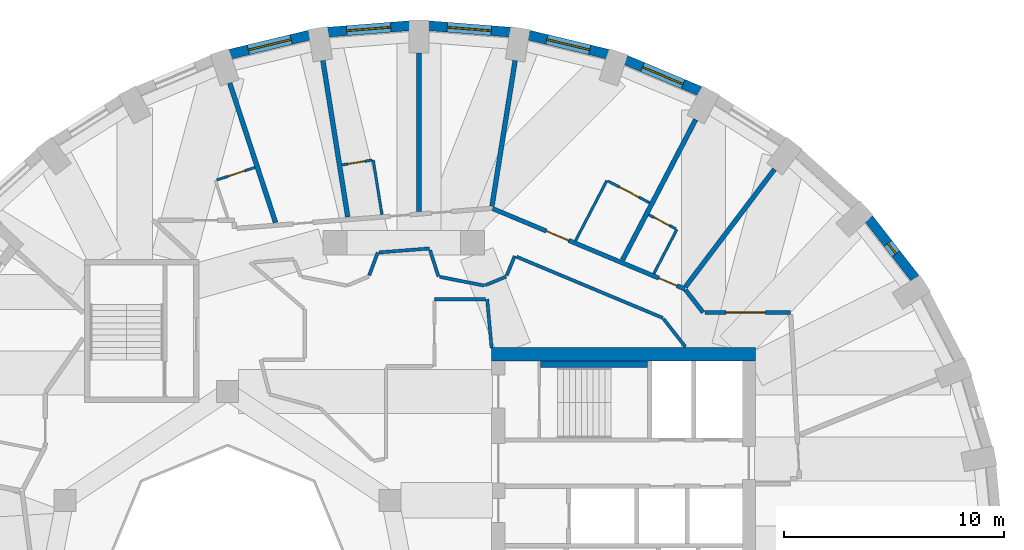
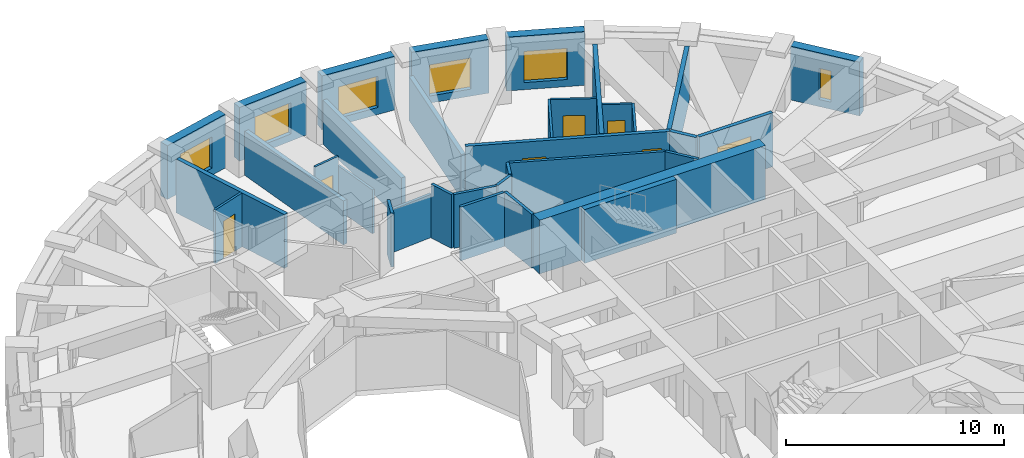
# One storey, part 8 of 12: 34 walls, 7 doors, 6 windows, 13 openings.
"""IFC4 building model written with IfcOpenShell, lengths in metres."""

import ifcopenshell
import ifcopenshell.guid

model = None  # the IFC model being written
_history = None  # IfcOwnerHistory: only IFC2X3 demands one
_inside = {}  # id of a spatial element -> (the spatial element, [elements in it])
_under = {}  # id of a project, library or spatial element -> (it, [spatial elements below it])
_declared = {}  # id of a project -> (the project, [libraries it declares])
_typed = {}  # id of a type object -> (the type object, [elements of that type])
_made_of = {}  # id of a material, layer set ... -> (it, [elements and type objects made of it])


def new_model(schema):
    """Start an empty IFC model of exactly this schema.

    Asked for "IFC4X3", IfcOpenShell would pick the latest addendum, in which some entities
    have other attributes; the version numbers below select the first issue.
    IFC2X3 requires an IfcOwnerHistory on every rooted entity: one is made here for all.
    """
    global model, _history
    if schema == "IFC4X3":
        model = ifcopenshell.file(schema_version=(4, 3, 0, 0))
    else:
        model = ifcopenshell.file(schema=schema)
    _inside.clear()
    _under.clear()
    _declared.clear()
    _typed.clear()
    _made_of.clear()
    _history = None
    if model.schema == "IFC2X3":
        org = make("IfcOrganization", Name="unknown")
        user = make(
            "IfcPersonAndOrganization",
            ThePerson=make("IfcPerson", FamilyName="unknown"),
            TheOrganization=org,
        )
        app = make(
            "IfcApplication",
            ApplicationDeveloper=org,
            Version="unknown",
            ApplicationFullName="unknown",
            ApplicationIdentifier="unknown",
        )
        _history = make(
            "IfcOwnerHistory",
            OwningUser=user,
            OwningApplication=app,
            ChangeAction="ADDED",
            CreationDate=0,
        )
    return model


def make(cls, **values):
    """One entity of the class cls with the attributes given. An attribute that is None is left unset."""
    return model.create_entity(
        cls, **{name: value for name, value in values.items() if value is not None}
    )


def rooted(cls, **values):
    """An entity with a GlobalId (a new one), such as an element, a storey or a relation."""
    return make(cls, GlobalId=ifcopenshell.guid.new(), OwnerHistory=_history, **values)


def si_unit(unit_type, name, prefix=None):
    """IfcSIUnit, for example si_unit("LENGTHUNIT", "METRE", prefix="MILLI")."""
    return make("IfcSIUnit", UnitType=unit_type, Prefix=prefix, Name=name)


def assignment(units):
    """IfcUnitAssignment: the units of a project."""
    return None if units is None else make("IfcUnitAssignment", Units=units)


def point(xyz):
    """IfcCartesianPoint."""
    return None if xyz is None else make("IfcCartesianPoint", Coordinates=xyz)


def direction(xyz):
    """IfcDirection."""
    return None if xyz is None else make("IfcDirection", DirectionRatios=xyz)


def frame(location, z_axis=None, x_axis=None):
    """IfcAxis2Placement3D, a coordinate frame: its origin and axes. An axis left out is left unset."""
    return make(
        "IfcAxis2Placement3D",
        Location=point(location),
        Axis=direction(z_axis),
        RefDirection=direction(x_axis),
    )


def frame_2d(location, x_axis=None):
    """IfcAxis2Placement2D, a coordinate frame in the plane: its origin and x axis."""
    return make(
        "IfcAxis2Placement2D", Location=point(location), RefDirection=direction(x_axis)
    )


def origin():
    """The frame at (0, 0, 0) with its axes left unset."""
    return frame((0.0, 0.0, 0.0))


def place(relative_to, where):
    """IfcLocalPlacement: puts the frame where relative to a parent placement (None: the world)."""
    return make(
        "IfcLocalPlacement", PlacementRelTo=relative_to, RelativePlacement=where
    )


def context(
    kind, dimensions, precision=None, world=None, true_north=None, identifier=None
):
    """IfcGeometricRepresentationContext, for example the 3D "Model" context."""
    return make(
        "IfcGeometricRepresentationContext",
        ContextIdentifier=identifier,
        ContextType=kind,
        CoordinateSpaceDimension=dimensions,
        Precision=precision,
        WorldCoordinateSystem=world,
        TrueNorth=true_north,
    )


def subcontext(parent, identifier, kind, view, scale=None):
    """IfcGeometricRepresentationSubContext, for example "Body" below "Model"."""
    return make(
        "IfcGeometricRepresentationSubContext",
        ContextIdentifier=identifier,
        ContextType=kind,
        ParentContext=parent,
        TargetScale=scale,
        TargetView=view,
    )


def project(units=None, contexts=None):
    """IfcProject with its units and contexts."""
    return rooted(
        "IfcProject",
        Name="project",
        RepresentationContexts=contexts,
        UnitsInContext=assignment(units),
    )


def spatial(cls, under=None, at=None, **own):
    """A site, building, storey or space (cls), placed at a placement, below another one or the project."""
    s = rooted(cls, ObjectPlacement=at, **own)
    if under is not None:
        _under.setdefault(under.id(), (under, []))[1].append(s)
    return s


def profile(cls, at=None, kind="AREA", **sizes):
    """A parametric profile (cls). Its sizes go by their IFC names, for example OverallWidth=200.0."""
    return make(cls, ProfileType=kind, Position=at, **sizes)


def rectangle(**sizes):
    """IfcRectangleProfileDef."""
    return profile("IfcRectangleProfileDef", **sizes)


def extrude(swept, where, along, depth):
    """IfcExtrudedAreaSolid: the profile swept, set in the frame where, extruded along a direction by depth."""
    return make(
        "IfcExtrudedAreaSolid",
        SweptArea=swept,
        Position=where,
        ExtrudedDirection=direction(along),
        Depth=depth,
    )


def shape(context_of_items, identifier, shape_type, items):
    """IfcShapeRepresentation: the items that make up one representation, for example the "Body"."""
    return make(
        "IfcShapeRepresentation",
        ContextOfItems=context_of_items,
        RepresentationIdentifier=identifier,
        RepresentationType=shape_type,
        Items=items,
    )


def material(Name=None, Category=None):
    """IfcMaterial."""
    return make("IfcMaterial", Name=Name, Category=Category)


def layer(
    of_material, thickness, ventilated=None, Name=None, Category=None, Priority=None
):
    """IfcMaterialLayer: one layer of a wall or slab, of a material (None: an air gap)."""
    return make(
        "IfcMaterialLayer",
        Material=of_material,
        LayerThickness=thickness,
        IsVentilated=ventilated,
        Name=Name,
        Category=Category,
        Priority=Priority,
    )


def layer_set(layers, Name=None):
    """IfcMaterialLayerSet."""
    return make("IfcMaterialLayerSet", MaterialLayers=layers, LayerSetName=Name)


def made_of(thing, what):
    """Note that an element or type object is made of a material, layer set ...; save() writes the relation."""
    if what is not None:
        _made_of.setdefault(what.id(), (what, []))[1].append(thing)
    return thing


def type_object(cls, material=None, **own):
    """A type object (cls), such as IfcWallType, which elements share."""
    return made_of(rooted(cls, **own), material)


def element(
    cls,
    number,
    at=None,
    inside=None,
    cuts=None,
    type_object=None,
    material=None,
    context=None,
    identifier="Body",
    shape_type=None,
    held_by="IfcProductDefinitionShape",
    body=None,
    shapes=None,
    **own,
):
    """One element of the class cls, such as IfcWall. Its Tag is "e" and its number.

    at: its placement. inside: the storey or other place that contains it. cuts: it is an
    opening in that element (IfcRelVoidsElement). A single representation is given by context,
    identifier, shape_type and body (its items); several are given by shapes. held_by: the class
    of the entity that holds the representations. save() writes the other relations.
    """
    e = rooted(cls, Tag="e%d" % number, ObjectPlacement=at, **own)
    if body is not None:
        shapes = [shape(context, identifier, shape_type, body)]
    if shapes is not None:
        e.Representation = make(held_by, Representations=shapes)
    if inside is not None:
        _inside.setdefault(inside.id(), (inside, []))[1].append(e)
    if cuts is not None:
        rooted(
            "IfcRelVoidsElement", RelatingBuildingElement=cuts, RelatedOpeningElement=e
        )
    if type_object is not None:
        _typed.setdefault(type_object.id(), (type_object, []))[1].append(e)
    return made_of(e, material)


def fill(opening, filler):
    """IfcRelFillsElement: the door or window that sits in an opening."""
    return rooted(
        "IfcRelFillsElement",
        RelatingOpeningElement=opening,
        RelatedBuildingElement=filler,
    )


def aggregate(whole, parts):
    """IfcRelAggregates: a whole, such as a stair, and the parts it consists of."""
    return rooted("IfcRelAggregates", RelatingObject=whole, RelatedObjects=parts)


def save(model, path):
    """Write the relations noted so far, then the file.

    IfcRelAggregates (storeys below a building ...), IfcRelContainedInSpatialStructure (elements
    in a storey), IfcRelDefinesByType, IfcRelAssociatesMaterial and IfcRelDeclares: one each for
    every whole, place, type object, material and project.
    """
    for whole, parts in _under.values():
        aggregate(whole, parts)
    for where, things in _inside.values():
        rooted(
            "IfcRelContainedInSpatialStructure",
            RelatedElements=things,
            RelatingStructure=where,
        )
    for kind, things in _typed.values():
        rooted("IfcRelDefinesByType", RelatedObjects=things, RelatingType=kind)
    for what, things in _made_of.values():
        rooted("IfcRelAssociatesMaterial", RelatedObjects=things, RelatingMaterial=what)
    for by, libraries in _declared.values():
        rooted("IfcRelDeclares", RelatingContext=by, RelatedDefinitions=libraries)
    model.write(path)


model = new_model("IFC4")

# Units and contexts
model_context = context("Model", 3, precision=1e-05, world=origin(), true_north=direction((0.0, 1.0)))
body_context = subcontext(model_context, "Body", "Model", "MODEL_VIEW")
ifc_project = project(units=[si_unit("LENGTHUNIT", "METRE"), si_unit("AREAUNIT", "SQUARE_METRE"), si_unit("VOLUMEUNIT", "CUBIC_METRE"), si_unit("PLANEANGLEUNIT", "RADIAN"), si_unit("MASSUNIT", "GRAM", prefix="KILO")], contexts=[model_context])

# Site, building, storey
site_placement = place(None, origin())
site = spatial("IfcSite", under=ifc_project, at=site_placement, CompositionType="ELEMENT")
building_placement = place(site_placement, origin())
building = spatial("IfcBuilding", under=site, at=building_placement, Name="Taillehof Tower", CompositionType="ELEMENT")
storey_placement = place(building_placement, frame((0.0, 0.0, 205.699951171875)))
storey = spatial("IfcBuildingStorey", under=building, at=storey_placement, Name="L58", CompositionType="ELEMENT", Elevation=205.699951171875)

# Wall, opening, window
ifc_material_1 = material(Name="Brick masonry", Category="masonry")
ifc_layer_1 = layer(ifc_material_1, 0.449951171875)
ifc_layer_set_1 = layer_set([ifc_layer_1], Name="Brick infill wall 450")
wall_type_1 = type_object("IfcWallType", Name="Brick infill wall 450", PredefinedType="SOLIDWALL", material=ifc_layer_set_1)
wall_1_placement = place(storey_placement, frame((23.262939453125, 13.148193359375, 0.0), z_axis=(0.0, 0.0, 1.0), x_axis=(-0.614220816451, 0.789134201919, 0.0)))
wall_1 = element("IfcWall", 1, at=wall_1_placement, inside=storey, type_object=wall_type_1, Name="Brick wall L58 bay 4", PredefinedType="SOLIDWALL", context=body_context, shape_type="SweptSolid", body=[
    extrude(rectangle(XDim=3.437744140625, YDim=0.449951171875, at=frame_2d((1.71875, 0.0))), origin(), (0.0, 0.0, 1.0), 3.02001953125),
])
opening_1_placement = place(wall_1_placement, frame((1.4189453125, 0.0, 0.39990234375)))
opening_1 = element("IfcOpeningElement", 2, at=opening_1_placement, cuts=wall_1, Name="Opening W6", PredefinedType="OPENING", context=body_context, shape_type="SweptSolid", body=[
    extrude(rectangle(XDim=0.60009765625, YDim=1.75, at=frame_2d((0.300048828125, 0.875))), frame((0.0, 0.23486328125, 0.0), z_axis=(0.0, -1.0, 0.0), x_axis=(1.0, 0.0, 0.0)), (0.0, 0.0, 1.0), 0.469970703125),
])
ifc_material_2 = material(Name="Aluminium window frame with clear double glazing", Category="aluminium")
window_type_1 = type_object("IfcWindowType", Name="Slot window 600x1750", PartitioningType="SINGLE_PANEL", PredefinedType="WINDOW", material=ifc_material_2)
window_1_placement = place(opening_1_placement, origin())
window_1 = element("IfcWindow", 3, at=window_1_placement, inside=storey, type_object=window_type_1, Name="W6", OverallHeight=1.75, OverallWidth=0.60009765625, PartitioningType="SINGLE_PANEL", PredefinedType="WINDOW", context=body_context, shape_type="SweptSolid", body=[
    extrude(rectangle(XDim=0.60009765625, YDim=1.75, at=frame_2d((0.300048828125, 0.875))), frame((0.0, 0.034912109375, 0.0), z_axis=(0.0, -1.0, 0.0), x_axis=(1.0, 0.0, 0.0)), (0.0, 0.0, 1.0), 0.06005859375),
])
fill(opening_1, window_1)

wall_2_placement = place(storey_placement, frame((13.46923828125, 21.6669921875, 0.0), z_axis=(0.0, 0.0, 1.0), x_axis=(-0.922168222612, 0.386789050006, 0.0)))
wall_2 = element("IfcWall", 4, at=wall_2_placement, inside=storey, type_object=wall_type_1, Name="Brick wall L58 bay 7", PredefinedType="SOLIDWALL", context=body_context, shape_type="SweptSolid", body=[
    extrude(rectangle(XDim=3.65087890625, YDim=0.449951171875, at=frame_2d((1.825439453125, 0.0))), origin(), (0.0, 0.0, 1.0), 3.02001953125),
])
opening_2_placement = place(wall_2_placement, frame((0.825439453125, 0.0, 0.39990234375)))
opening_2 = element("IfcOpeningElement", 5, at=opening_2_placement, cuts=wall_2, Name="Opening W2", PredefinedType="OPENING", context=body_context, shape_type="SweptSolid", body=[
    extrude(rectangle(XDim=2.0, YDim=1.75, at=frame_2d((1.0, 0.875))), frame((0.0, 0.23486328125, 0.0), z_axis=(0.0, -1.0, 0.0), x_axis=(1.0, 0.0, 0.0)), (0.0, 0.0, 1.0), 0.469970703125),
])
ifc_material_3 = material(Name="Aluminium window frame with clear double glazing", Category="aluminium")
window_type_2 = type_object("IfcWindowType", Name="Deep-set window 2000x1750", PartitioningType="SINGLE_PANEL", PredefinedType="WINDOW", material=ifc_material_3)
window_2_placement = place(opening_2_placement, origin())
window_2 = element("IfcWindow", 6, at=window_2_placement, inside=storey, type_object=window_type_2, Name="W2", OverallHeight=1.75, OverallWidth=2.0, PartitioningType="SINGLE_PANEL", PredefinedType="WINDOW", context=body_context, shape_type="SweptSolid", body=[
    extrude(rectangle(XDim=2.0, YDim=1.75, at=frame_2d((1.0, 0.875))), frame((0.0, 0.034912109375, 0.0), z_axis=(0.0, -1.0, 0.0), x_axis=(1.0, 0.0, 0.0)), (0.0, 0.0, 1.0), 0.06005859375),
])
fill(opening_2, window_2)

wall_3_placement = place(storey_placement, frame((9.285400390625, 23.34716796875, 0.0), z_axis=(0.0, 0.0, 1.0), x_axis=(-0.972173533246, 0.234261864708, 0.0)))
wall_3 = element("IfcWall", 7, at=wall_3_placement, inside=storey, type_object=wall_type_1, Name="Brick wall L58 bay 8", PredefinedType="SOLIDWALL", context=body_context, shape_type="SweptSolid", body=[
    extrude(rectangle(XDim=3.697509765625, YDim=0.449951171875, at=frame_2d((1.8486328125, 0.0))), origin(), (0.0, 0.0, 1.0), 3.02001953125),
])
opening_3_placement = place(wall_3_placement, frame((0.848876953125, 0.0, 0.39990234375)))
opening_3 = element("IfcOpeningElement", 8, at=opening_3_placement, cuts=wall_3, Name="Opening W2", PredefinedType="OPENING", context=body_context, shape_type="SweptSolid", body=[
    extrude(rectangle(XDim=2.0, YDim=1.75, at=frame_2d((1.0, 0.875))), frame((0.0, 0.23486328125, 0.0), z_axis=(0.0, -1.0, 0.0), x_axis=(1.0, 0.0, 0.0)), (0.0, 0.0, 1.0), 0.469970703125),
])
window_3_placement = place(opening_3_placement, origin())
window_3 = element("IfcWindow", 9, at=window_3_placement, inside=storey, type_object=window_type_2, Name="W2", OverallHeight=1.75, OverallWidth=2.0, PartitioningType="SINGLE_PANEL", PredefinedType="WINDOW", context=body_context, shape_type="SweptSolid", body=[
    extrude(rectangle(XDim=2.0, YDim=1.75, at=frame_2d((1.0, 0.875))), frame((0.0, 0.034912109375, 0.0), z_axis=(0.0, -1.0, 0.0), x_axis=(1.0, 0.0, 0.0)), (0.0, 0.0, 1.0), 0.06005859375),
])
fill(opening_3, window_3)

wall_4_placement = place(storey_placement, frame((4.841064453125, 24.348388671875, 0.0), z_axis=(0.0, 0.0, 1.0), x_axis=(-0.996918697878, 0.078441760701, 0.0)))
wall_4 = element("IfcWall", 10, at=wall_4_placement, inside=storey, type_object=wall_type_1, Name="Brick wall L58 bay 9", PredefinedType="SOLIDWALL", context=body_context, shape_type="SweptSolid", body=[
    extrude(rectangle(XDim=3.722412109375, YDim=0.449951171875, at=frame_2d((1.861328125, 0.0))), origin(), (0.0, 0.0, 1.0), 3.02001953125),
])
opening_4_placement = place(wall_4_placement, frame((0.861328125, 0.0, 0.39990234375)))
opening_4 = element("IfcOpeningElement", 11, at=opening_4_placement, cuts=wall_4, Name="Opening W2", PredefinedType="OPENING", context=body_context, shape_type="SweptSolid", body=[
    extrude(rectangle(XDim=2.0, YDim=1.75, at=frame_2d((1.0, 0.875))), frame((0.0, 0.23486328125, 0.0), z_axis=(0.0, -1.0, 0.0), x_axis=(1.0, 0.0, 0.0)), (0.0, 0.0, 1.0), 0.469970703125),
])
window_4_placement = place(opening_4_placement, origin())
window_4 = element("IfcWindow", 12, at=window_4_placement, inside=storey, type_object=window_type_2, Name="W2", OverallHeight=1.75, OverallWidth=2.0, PartitioningType="SINGLE_PANEL", PredefinedType="WINDOW", context=body_context, shape_type="SweptSolid", body=[
    extrude(rectangle(XDim=2.0, YDim=1.75, at=frame_2d((1.0, 0.875))), frame((0.0, 0.034912109375, 0.0), z_axis=(0.0, -1.0, 0.0), x_axis=(1.0, 0.0, 0.0)), (0.0, 0.0, 1.0), 0.06005859375),
])
fill(opening_4, window_4)

wall_5_placement = place(storey_placement, frame((0.27001953125, 24.640380859375, 0.0), z_axis=(0.0, 0.0, 1.0), x_axis=(-0.996919101401, -0.078436632148, 0.0)))
wall_5 = element("IfcWall", 13, at=wall_5_placement, inside=storey, type_object=wall_type_1, Name="Brick wall L58 bay 10", PredefinedType="SOLIDWALL", context=body_context, shape_type="SweptSolid", body=[
    extrude(rectangle(XDim=3.72265625, YDim=0.449951171875, at=frame_2d((1.861328125, 0.0))), origin(), (0.0, 0.0, 1.0), 3.02001953125),
])
opening_5_placement = place(wall_5_placement, frame((0.861328125, 0.0, 0.39990234375)))
opening_5 = element("IfcOpeningElement", 14, at=opening_5_placement, cuts=wall_5, Name="Opening W2", PredefinedType="OPENING", context=body_context, shape_type="SweptSolid", body=[
    extrude(rectangle(XDim=2.0, YDim=1.75, at=frame_2d((1.0, 0.875))), frame((0.0, 0.23486328125, 0.0), z_axis=(0.0, -1.0, 0.0), x_axis=(1.0, 0.0, 0.0)), (0.0, 0.0, 1.0), 0.469970703125),
])
window_5_placement = place(opening_5_placement, origin())
window_5 = element("IfcWindow", 15, at=window_5_placement, inside=storey, type_object=window_type_2, Name="W2", OverallHeight=1.75, OverallWidth=2.0, PartitioningType="SINGLE_PANEL", PredefinedType="WINDOW", context=body_context, shape_type="SweptSolid", body=[
    extrude(rectangle(XDim=2.0, YDim=1.75, at=frame_2d((1.0, 0.875))), frame((0.0, 0.034912109375, 0.0), z_axis=(0.0, -1.0, 0.0), x_axis=(1.0, 0.0, 0.0)), (0.0, 0.0, 1.0), 0.06005859375),
])
fill(opening_5, window_5)

wall_6_placement = place(storey_placement, frame((-4.29052734375, 24.21337890625, 0.0), z_axis=(0.0, 0.0, 1.0), x_axis=(-0.972173533246, -0.234261864708, 0.0)))
wall_6 = element("IfcWall", 16, at=wall_6_placement, inside=storey, type_object=wall_type_1, Name="Brick wall L58 bay 11", PredefinedType="SOLIDWALL", context=body_context, shape_type="SweptSolid", body=[
    extrude(rectangle(XDim=3.697509765625, YDim=0.449951171875, at=frame_2d((1.8486328125, 0.0))), origin(), (0.0, 0.0, 1.0), 3.02001953125),
])
opening_6_placement = place(wall_6_placement, frame((0.848876953125, 0.0, 0.39990234375)))
opening_6 = element("IfcOpeningElement", 17, at=opening_6_placement, cuts=wall_6, Name="Opening W2", PredefinedType="OPENING", context=body_context, shape_type="SweptSolid", body=[
    extrude(rectangle(XDim=2.0, YDim=1.75, at=frame_2d((1.0, 0.875))), frame((0.0, 0.23486328125, 0.0), z_axis=(0.0, -1.0, 0.0), x_axis=(1.0, 0.0, 0.0)), (0.0, 0.0, 1.0), 0.469970703125),
])
window_6_placement = place(opening_6_placement, origin())
window_6 = element("IfcWindow", 18, at=window_6_placement, inside=storey, type_object=window_type_2, Name="W2", OverallHeight=1.75, OverallWidth=2.0, PartitioningType="SINGLE_PANEL", PredefinedType="WINDOW", context=body_context, shape_type="SweptSolid", body=[
    extrude(rectangle(XDim=2.0, YDim=1.75, at=frame_2d((1.0, 0.875))), frame((0.0, 0.034912109375, 0.0), z_axis=(0.0, -1.0, 0.0), x_axis=(1.0, 0.0, 0.0)), (0.0, 0.0, 1.0), 0.06005859375),
])
fill(opening_6, window_6)

# Wall, openings, doors
ifc_material_4 = material(Name="Gypsum board on steel studs, two layers each side", Category="steel")
ifc_layer_2 = layer(ifc_material_4, 0.199951171875)
ifc_layer_set_2 = layer_set([ifc_layer_2], Name="Compartment wall corridor 200")
wall_type_2 = type_object("IfcWallType", Name="Compartment wall corridor 200", PredefinedType="PARTITIONING", material=ifc_layer_set_2)
wall_7_placement = place(storey_placement, frame((4.052001953125, 16.32275390625, 0.0), z_axis=(0.0, 0.0, 1.0), x_axis=(0.922513794011, -0.385964117322, 0.0)))
wall_7 = element("IfcWall", 19, at=wall_7_placement, inside=storey, type_object=wall_type_2, Name="Compartment wall", PredefinedType="PARTITIONING", context=body_context, shape_type="SweptSolid", body=[
    extrude(rectangle(XDim=9.469970703125, YDim=0.199951171875, at=frame_2d((4.73486328125, 0.0))), origin(), (0.0, 0.0, 1.0), 3.02001953125),
])
opening_7_placement = place(wall_7_placement, frame((8.186279296875, 0.0, 0.0)))
opening_7 = element("IfcOpeningElement", 20, at=opening_7_placement, cuts=wall_7, Name="Opening D5840", PredefinedType="OPENING", context=body_context, shape_type="SweptSolid", body=[
    extrude(rectangle(XDim=0.89990234375, YDim=2.10009765625, at=frame_2d((0.449951171875, 1.050048828125))), frame((0.0, 0.10986328125, 0.0), z_axis=(0.0, -1.0, 0.0), x_axis=(1.0, 0.0, 0.0)), (0.0, 0.0, 1.0), 0.219970703125),
])
opening_8_placement = place(wall_7_placement, frame((2.63916015625, 0.0, 0.0)))
opening_8 = element("IfcOpeningElement", 21, at=opening_8_placement, cuts=wall_7, Name="Opening D5842", PredefinedType="OPENING", context=body_context, shape_type="SweptSolid", body=[
    extrude(rectangle(XDim=1.10009765625, YDim=2.10009765625, at=frame_2d((0.550048828125, 1.050048828125))), frame((0.0, 0.10986328125, 0.0), z_axis=(0.0, -1.0, 0.0), x_axis=(1.0, 0.0, 0.0)), (0.0, 0.0, 1.0), 0.219970703125),
])
ifc_material_5 = material(Name="Timber door leaf in steel frame", Category="steel")
door_type_1 = type_object("IfcDoorType", Name="Accessible guest room door EI 30 1100 x 2100", OperationType="SINGLE_SWING_LEFT", PredefinedType="DOOR", material=ifc_material_5)
door_1_placement = place(opening_8_placement, origin())
door_1 = element("IfcDoor", 22, at=door_1_placement, inside=storey, type_object=door_type_1, Name="D5842", OperationType="SINGLE_SWING_RIGHT", OverallHeight=2.10009765625, OverallWidth=1.10009765625, PredefinedType="DOOR", context=body_context, shape_type="SweptSolid", body=[
    extrude(rectangle(XDim=1.10009765625, YDim=2.10009765625, at=frame_2d((0.550048828125, 1.050048828125))), frame((0.0, 0.02490234375, 0.0), z_axis=(0.0, -1.0, 0.0), x_axis=(1.0, 0.0, 0.0)), (0.0, 0.0, 1.0), 0.050048828125),
])
fill(opening_8, door_1)
ifc_material_6 = material(Name="Timber door leaf in steel frame", Category="steel")
door_type_2 = type_object("IfcDoorType", Name="Guest room door EI 30 900 x 2100", OperationType="SINGLE_SWING_LEFT", PredefinedType="DOOR", material=ifc_material_6)
door_2_placement = place(opening_7_placement, origin())
door_2 = element("IfcDoor", 23, at=door_2_placement, inside=storey, type_object=door_type_2, Name="D5840", OperationType="SINGLE_SWING_LEFT", OverallHeight=2.10009765625, OverallWidth=0.89990234375, PredefinedType="DOOR", context=body_context, shape_type="SweptSolid", body=[
    extrude(rectangle(XDim=0.89990234375, YDim=2.10009765625, at=frame_2d((0.449951171875, 1.050048828125))), frame((0.0, 0.02490234375, 0.0), z_axis=(0.0, -1.0, 0.0), x_axis=(1.0, 0.0, 0.0)), (0.0, 0.0, 1.0), 0.050048828125),
])
fill(opening_7, door_2)

# Wall
wall_8_placement = place(storey_placement, frame((12.8125, 12.635986328125, 0.0), z_axis=(0.0, 0.0, 1.0), x_axis=(0.616123044723, -0.787649918277, 0.0)))
element("IfcWall", 24, at=wall_8_placement, inside=storey, type_object=wall_type_2, Name="Compartment wall", PredefinedType="PARTITIONING", context=body_context, shape_type="SweptSolid", body=[
    extrude(rectangle(XDim=1.315185546875, YDim=0.199951171875, at=frame_2d((0.65771484375, 0.0))), origin(), (0.0, 0.0, 1.0), 3.02001953125),
])

# Wall, opening, door
wall_9_placement = place(storey_placement, frame((13.702880859375, 11.60009765625, 0.0), z_axis=(0.0, 0.0, 1.0), x_axis=(1.0, 0.0, 0.0)))
wall_9 = element("IfcWall", 25, at=wall_9_placement, inside=storey, type_object=wall_type_2, Name="Compartment wall", PredefinedType="PARTITIONING", context=body_context, shape_type="SweptSolid", body=[
    extrude(rectangle(XDim=3.897216796875, YDim=0.199951171875, at=frame_2d((1.94873046875, 0.0))), origin(), (0.0, 0.0, 1.0), 3.02001953125),
])
opening_9_placement = place(wall_9_placement, frame((0.94775390625, 0.0, 0.0)))
opening_9 = element("IfcOpeningElement", 26, at=opening_9_placement, cuts=wall_9, Name="Opening D5865", PredefinedType="OPENING", context=body_context, shape_type="SweptSolid", body=[
    extrude(rectangle(XDim=1.800048828125, YDim=2.10009765625, at=frame_2d((0.89990234375, 1.050048828125))), frame((0.0, 0.10986328125, 0.0), z_axis=(0.0, -1.0, 0.0), x_axis=(1.0, 0.0, 0.0)), (0.0, 0.0, 1.0), 0.219970703125),
])
ifc_material_7 = material(Name="Timber door leaf in steel frame", Category="steel")
door_type_3 = type_object("IfcDoorType", Name="Lounge and meeting room double door EI 30 1800 x 2100", OperationType="SINGLE_SWING_LEFT", PredefinedType="DOOR", material=ifc_material_7)
door_3_placement = place(opening_9_placement, origin())
door_3 = element("IfcDoor", 27, at=door_3_placement, inside=storey, type_object=door_type_3, Name="D5865", OperationType="DOUBLE_DOOR_SINGLE_SWING", OverallHeight=2.10009765625, OverallWidth=1.800048828125, PredefinedType="DOOR", context=body_context, shape_type="SweptSolid", body=[
    extrude(rectangle(XDim=1.800048828125, YDim=2.10009765625, at=frame_2d((0.89990234375, 1.050048828125))), frame((0.0, 0.02490234375, 0.0), z_axis=(0.0, -1.0, 0.0), x_axis=(1.0, 0.0, 0.0)), (0.0, 0.0, 1.0), 0.050048828125),
])
fill(opening_9, door_3)

# Walls
ifc_material_8 = material(Name="Gypsum board on double steel studs with mineral wool", Category="steel")
ifc_layer_3 = layer(ifc_material_8, 0.219970703125)
ifc_layer_set_3 = layer_set([ifc_layer_3], Name="Compartment wall guest room 220")
wall_type_3 = type_object("IfcWallType", Name="Compartment wall guest room 220", PredefinedType="PARTITIONING", material=ifc_layer_set_3)
wall_10_placement = place(storey_placement, frame((16.86328125, 18.112548828125, 0.0), z_axis=(0.0, 0.0, 1.0), x_axis=(-0.603604669643, -0.797283765535, 0.0)))
element("IfcWall", 28, at=wall_10_placement, inside=storey, type_object=wall_type_3, Name="Compartment wall", PredefinedType="PARTITIONING", context=body_context, shape_type="SweptSolid", body=[
    extrude(rectangle(XDim=6.707275390625, YDim=0.219970703125, at=frame_2d((3.353515625, 0.0))), origin(), (0.0, 0.0, 1.0), 3.02001953125),
])
wall_11_placement = place(storey_placement, frame((13.278564453125, 20.369873046875, 0.0), z_axis=(0.0, 0.0, 1.0), x_axis=(-0.462003878414, -0.886877903846, 0.0)))
element("IfcWall", 29, at=wall_11_placement, inside=storey, type_object=wall_type_3, Name="Compartment wall", PredefinedType="PARTITIONING", context=body_context, shape_type="SweptSolid", body=[
    extrude(rectangle(XDim=7.199951171875, YDim=0.219970703125, at=frame_2d((3.60009765625, 0.0))), origin(), (0.0, 0.0, 1.0), 3.02001953125),
])
wall_12_placement = place(storey_placement, frame((5.071044921875, 23.05615234375, 0.0), z_axis=(0.0, 0.0, 1.0), x_axis=(-0.15710052893, -0.987582616195, 0.0)))
element("IfcWall", 30, at=wall_12_placement, inside=storey, type_object=wall_type_3, Name="Compartment wall", PredefinedType="PARTITIONING", context=body_context, shape_type="SweptSolid", body=[
    extrude(rectangle(XDim=6.708740234375, YDim=0.219970703125, at=frame_2d((3.3544921875, 0.0))), origin(), (0.0, 0.0, 1.0), 2.469970703125),
])
for number, where, z_axis, x_axis, name in (
    (31, (0.699951171875, 23.39990234375, 0.0), (0.0, 0.0, 1.0), (0.0, -1.0, 0.0), "Compartment wall"),
    (32, (-3.6708984375, 23.05615234375, 0.0), (0.0, 0.0, 1.0), (0.157099267894, -0.987582816794, 0.0), "Compartment wall"),
):
    element("IfcWall", number, at=place(storey_placement, frame(where, z_axis=z_axis, x_axis=x_axis)), inside=storey, type_object=wall_type_3, Name=name, PredefinedType="PARTITIONING", context=body_context, shape_type="SweptSolid", body=[
        extrude(rectangle(XDim=7.201416015625, YDim=0.219970703125, at=frame_2d((3.6005859375, 0.0))), origin(), (0.0, 0.0, 1.0), 2.469970703125),
    ])
wall_13_placement = place(storey_placement, frame((-7.9072265625, 22.035400390625, 0.0), z_axis=(0.0, 0.0, 1.0), x_axis=(0.311972412811, -0.950091160702, 0.0)))
element("IfcWall", 33, at=wall_13_placement, inside=storey, type_object=wall_type_3, Name="Compartment wall", PredefinedType="PARTITIONING", context=body_context, shape_type="SweptSolid", body=[
    extrude(rectangle(XDim=6.68310546875, YDim=0.219970703125, at=frame_2d((3.341552734375, 0.0))), origin(), (0.0, 0.0, 1.0), 3.02001953125),
])
ifc_material_9 = material(Name="Calcium silicate masonry", Category="masonry")
ifc_layer_4 = layer(ifc_material_9, 0.300048828125)
ifc_layer_set_4 = layer_set([ifc_layer_4], Name="Compartment wall lining calcium silicate 300")
wall_type_4 = type_object("IfcWallType", Name="Compartment wall lining calcium silicate 300", PredefinedType="PARTITIONING", material=ifc_layer_set_4)
wall_14_placement = place(storey_placement, frame((6.219970703125, 9.25, 0.0), z_axis=(0.0, 0.0, 1.0), x_axis=(1.0, 0.0, 0.0)))
element("IfcWall", 34, at=wall_14_placement, inside=storey, type_object=wall_type_4, Name="Compartment wall FW", PredefinedType="PARTITIONING", context=body_context, shape_type="SweptSolid", body=[
    extrude(rectangle(XDim=4.880126953125, YDim=0.300048828125, at=frame_2d((2.43994140625, 0.0))), origin(), (0.0, 0.0, 1.0), 3.02001953125),
])
ifc_material_10 = material(Name="Gypsum board on steel studs, two layers each side", Category="steel")
ifc_layer_5 = layer(ifc_material_10, 0.14990234375)
ifc_layer_set_5 = layer_set([ifc_layer_5], Name="Compartment wall service room 150")
wall_type_5 = type_object("IfcWallType", Name="Compartment wall service room 150", PredefinedType="PARTITIONING", material=ifc_layer_set_5)
wall_15_placement = place(storey_placement, frame((4.0, 9.9990234375, 0.0), z_axis=(0.0, 0.0, 1.0), x_axis=(-0.090475982725, 0.995898637689, 0.0)))
element("IfcWall", 35, at=wall_15_placement, inside=storey, type_object=wall_type_5, Name="Compartment wall", PredefinedType="PARTITIONING", context=body_context, shape_type="SweptSolid", body=[
    extrude(rectangle(XDim=2.2099609375, YDim=0.14990234375, at=frame_2d((1.10498046875, 0.0))), origin(), (0.0, 0.0, 1.0), 3.02001953125),
])
wall_16_placement = place(storey_placement, frame((3.719970703125, 12.199951171875, 0.0), z_axis=(0.0, 0.0, 1.0), x_axis=(-1.0, 0.0, 0.0)))
element("IfcWall", 36, at=wall_16_placement, inside=storey, type_object=wall_type_5, Name="Compartment wall", PredefinedType="PARTITIONING", context=body_context, shape_type="SweptSolid", body=[
    extrude(rectangle(XDim=2.320068359375, YDim=0.14990234375, at=frame_2d((1.16015625, 0.0))), origin(), (0.0, 0.0, 1.0), 3.02001953125),
])
wall_17_placement = place(storey_placement, frame((-1.564453125, 13.28857421875, 0.0), z_axis=(0.0, 0.0, 1.0), x_axis=(0.350857754205, 0.936428767347, 0.0)))
element("IfcWall", 37, at=wall_17_placement, inside=storey, type_object=wall_type_5, Name="Compartment wall", PredefinedType="PARTITIONING", context=body_context, shape_type="SweptSolid", body=[
    extrude(rectangle(XDim=1.107666015625, YDim=0.14990234375, at=frame_2d((0.5537109375, 0.0))), origin(), (0.0, 0.0, 1.0), 3.02001953125),
])
wall_18_placement = place(storey_placement, frame((-1.11572265625, 14.330322265625, 0.0), z_axis=(0.0, 0.0, 1.0), x_axis=(0.99692309845, 0.078385813622, 0.0)))
element("IfcWall", 38, at=wall_18_placement, inside=storey, type_object=wall_type_5, Name="Compartment wall", PredefinedType="PARTITIONING", context=body_context, shape_type="SweptSolid", body=[
    extrude(rectangle(XDim=2.298583984375, YDim=0.14990234375, at=frame_2d((1.1494140625, 0.0))), origin(), (0.0, 0.0, 1.0), 2.420166015625),
])
wall_19_placement = place(storey_placement, frame((1.2001953125, 14.434326171875, 0.0), z_axis=(0.0, 0.0, 1.0), x_axis=(0.30535807655, -0.952237599072, 0.0)))
element("IfcWall", 39, at=wall_19_placement, inside=storey, type_object=wall_type_5, Name="Compartment wall", PredefinedType="PARTITIONING", context=body_context, shape_type="SweptSolid", body=[
    extrude(rectangle(XDim=1.262451171875, YDim=0.14990234375, at=frame_2d((0.63134765625, 0.0))), origin(), (0.0, 0.0, 1.0), 3.02001953125),
])
wall_20_placement = place(storey_placement, frame((1.644287109375, 13.220458984375, 0.0), z_axis=(0.0, 0.0, 1.0), x_axis=(0.981304142817, -0.192463449234, 0.0)))
element("IfcWall", 40, at=wall_20_placement, inside=storey, type_object=wall_type_5, Name="Compartment wall", PredefinedType="PARTITIONING", context=body_context, shape_type="SweptSolid", body=[
    extrude(rectangle(XDim=2.0703125, YDim=0.14990234375, at=frame_2d((1.03515625, 0.0))), origin(), (0.0, 0.0, 1.0), 3.02001953125),
])
wall_21_placement = place(storey_placement, frame((3.712890625, 12.837158203125, 0.0), z_axis=(0.0, 0.0, 1.0), x_axis=(0.923768662954, 0.382950985565, 0.0)))
element("IfcWall", 41, at=wall_21_placement, inside=storey, type_object=wall_type_5, Name="Compartment wall", PredefinedType="PARTITIONING", context=body_context, shape_type="SweptSolid", body=[
    extrude(rectangle(XDim=1.031494140625, YDim=0.14990234375, at=frame_2d((0.515625, 0.0))), origin(), (0.0, 0.0, 1.0), 3.02001953125),
])
wall_22_placement = place(storey_placement, frame((4.6884765625, 13.287841796875, 0.0), z_axis=(0.0, 0.0, 1.0), x_axis=(0.382961780444, 0.923764187831, 0.0)))
element("IfcWall", 42, at=wall_22_placement, inside=storey, type_object=wall_type_5, Name="Compartment wall", PredefinedType="PARTITIONING", context=body_context, shape_type="SweptSolid", body=[
    extrude(rectangle(XDim=0.954345703125, YDim=0.14990234375, at=frame_2d((0.47705078125, 0.0))), origin(), (0.0, 0.0, 1.0), 3.02001953125),
])
wall_23_placement = place(storey_placement, frame((5.128173828125, 14.13818359375, 0.0), z_axis=(0.0, 0.0, 1.0), x_axis=(0.922514397623, -0.385962674591, 0.0)))
element("IfcWall", 43, at=wall_23_placement, inside=storey, type_object=wall_type_5, Name="Compartment wall", PredefinedType="PARTITIONING", context=body_context, shape_type="SweptSolid", body=[
    extrude(rectangle(XDim=7.216064453125, YDim=0.14990234375, at=frame_2d((3.60791015625, 0.0))), origin(), (0.0, 0.0, 1.0), 3.02001953125),
])
wall_24_placement = place(storey_placement, frame((11.8095703125, 11.3212890625, 0.0), z_axis=(0.0, 0.0, 1.0), x_axis=(0.615964296608, -0.787774069962, 0.0)))
element("IfcWall", 44, at=wall_24_placement, inside=storey, type_object=wall_type_5, Name="Compartment wall", PredefinedType="PARTITIONING", context=body_context, shape_type="SweptSolid", body=[
    extrude(rectangle(XDim=1.626953125, YDim=0.14990234375, at=frame_2d((0.8134765625, 0.0))), origin(), (0.0, 0.0, 1.0), 3.02001953125),
])
ifc_material_11 = material(Name="Concrete C80/95", Category="concrete")
ifc_layer_6 = layer(ifc_material_11, 0.60009765625)
ifc_layer_set_6 = layer_set([ifc_layer_6], Name="Core wall C80/95 600")
wall_type_6 = type_object("IfcWallType", Name="Core wall C80/95 600", PredefinedType="SHEAR", material=ifc_layer_set_6)
wall_25_placement = place(storey_placement, frame((4.0, 9.699951171875, 0.0), z_axis=(0.0, 0.0, 1.0), x_axis=(1.0, 0.0, 0.0)))
element("IfcWall", 45, at=wall_25_placement, inside=storey, type_object=wall_type_6, Name="Core wall CW06", PredefinedType="SHEAR", context=body_context, shape_type="SweptSolid", body=[
    extrude(rectangle(XDim=12.0, YDim=0.60009765625, at=frame_2d((6.0, 0.0))), origin(), (0.0, 0.0, 1.0), 3.02001953125),
])
ifc_material_12 = material(Name="Gypsum board on steel studs, moisture resistant", Category="steel")
ifc_layer_7 = layer(ifc_material_12, 0.1201171875)
ifc_layer_set_7 = layer_set([ifc_layer_7], Name="En-suite wall 120")
wall_type_7 = type_object("IfcWallType", Name="En-suite wall 120", PredefinedType="PARTITIONING", material=ifc_layer_set_7)
wall_26_placement = place(storey_placement, frame((11.3779296875, 13.3662109375, 0.0), z_axis=(0.0, 0.0, 1.0), x_axis=(0.461999655972, 0.886880103442, 0.0)))
element("IfcWall", 46, at=wall_26_placement, inside=storey, type_object=wall_type_7, Name="En-suite wall", PredefinedType="PARTITIONING", context=body_context, shape_type="SweptSolid", body=[
    extrude(rectangle(XDim=2.26904296875, YDim=0.1201171875, at=frame_2d((1.134521484375, 0.0))), origin(), (0.0, 0.0, 1.0), 3.02001953125),
])
wall_27_placement = place(storey_placement, frame((7.813720703125, 14.857421875, 0.0), z_axis=(0.0, 0.0, 1.0), x_axis=(0.461958994047, 0.886901284146, 0.0)))
element("IfcWall", 47, at=wall_27_placement, inside=storey, type_object=wall_type_7, Name="En-suite wall", PredefinedType="PARTITIONING", context=body_context, shape_type="SweptSolid", body=[
    extrude(rectangle(XDim=3.09326171875, YDim=0.1201171875, at=frame_2d((1.546630859375, 0.0))), origin(), (0.0, 0.0, 1.0), 3.02001953125),
])
wall_28_placement = place(storey_placement, frame((-0.986083984375, 16.0458984375, 0.0), z_axis=(0.0, 0.0, 1.0), x_axis=(-0.157145077254, 0.987575528603, 0.0)))
element("IfcWall", 48, at=wall_28_placement, inside=storey, type_object=wall_type_7, Name="En-suite wall", PredefinedType="PARTITIONING", context=body_context, shape_type="SweptSolid", body=[
    extrude(rectangle(XDim=2.52294921875, YDim=0.1201171875, at=frame_2d((1.261474609375, 0.0))), origin(), (0.0, 0.0, 1.0), 2.469970703125),
])

# Wall, opening, door
wall_29_placement = place(storey_placement, frame((12.373046875, 15.406494140625, 0.0), z_axis=(0.0, 0.0, 1.0), x_axis=(-0.88690955386, 0.461943116922, 0.0)))
wall_29 = element("IfcWall", 49, at=wall_29_placement, inside=storey, type_object=wall_type_7, Name="En-suite wall", PredefinedType="PARTITIONING", context=body_context, shape_type="SweptSolid", body=[
    extrude(rectangle(XDim=1.3798828125, YDim=0.1201171875, at=frame_2d((0.68994140625, 0.0))), origin(), (0.0, 0.0, 1.0), 3.02001953125),
])
opening_10_placement = place(wall_29_placement, frame((0.31494140625, 0.0, 0.0)))
opening_10 = element("IfcOpeningElement", 50, at=opening_10_placement, cuts=wall_29, Name="Opening D5841", PredefinedType="OPENING", context=body_context, shape_type="SweptSolid", body=[
    extrude(rectangle(XDim=0.800048828125, YDim=2.10009765625, at=frame_2d((0.39990234375, 1.050048828125))), frame((0.0, 0.070068359375, 0.0), z_axis=(0.0, -1.0, 0.0), x_axis=(1.0, 0.0, 0.0)), (0.0, 0.0, 1.0), 0.14013671875),
])
ifc_material_13 = material(Name="Timber door leaf in steel frame", Category="steel")
door_type_4 = type_object("IfcDoorType", Name="En-suite door 800 x 2100", OperationType="SINGLE_SWING_LEFT", PredefinedType="DOOR", material=ifc_material_13)
door_4_placement = place(opening_10_placement, origin())
door_4 = element("IfcDoor", 51, at=door_4_placement, inside=storey, type_object=door_type_4, Name="D5841", OperationType="SINGLE_SWING_LEFT", OverallHeight=2.10009765625, OverallWidth=0.800048828125, PredefinedType="DOOR", context=body_context, shape_type="SweptSolid", body=[
    extrude(rectangle(XDim=0.800048828125, YDim=2.10009765625, at=frame_2d((0.39990234375, 1.050048828125))), frame((0.0, 0.02490234375, 0.0), z_axis=(0.0, -1.0, 0.0), x_axis=(1.0, 0.0, 0.0)), (0.0, 0.0, 1.0), 0.050048828125),
])
fill(opening_10, door_4)

wall_30_placement = place(storey_placement, frame((9.2958984375, 17.572998046875, 0.0), z_axis=(0.0, 0.0, 1.0), x_axis=(0.88685243949, -0.462052757346, 0.0)))
wall_30 = element("IfcWall", 52, at=wall_30_placement, inside=storey, type_object=wall_type_7, Name="En-suite wall", PredefinedType="PARTITIONING", context=body_context, shape_type="SweptSolid", body=[
    extrude(rectangle(XDim=2.1298828125, YDim=0.1201171875, at=frame_2d((1.06494140625, 0.0))), origin(), (0.0, 0.0, 1.0), 3.02001953125),
])
opening_11_placement = place(wall_30_placement, frame((0.58984375, 0.0, 0.0)))
opening_11 = element("IfcOpeningElement", 53, at=opening_11_placement, cuts=wall_30, Name="Opening D5843", PredefinedType="OPENING", context=body_context, shape_type="SweptSolid", body=[
    extrude(rectangle(XDim=1.0, YDim=2.10009765625, at=frame_2d((0.5, 1.050048828125))), frame((0.0, 0.070068359375, 0.0), z_axis=(0.0, -1.0, 0.0), x_axis=(1.0, 0.0, 0.0)), (0.0, 0.0, 1.0), 0.14013671875),
])
ifc_material_14 = material(Name="Timber door leaf in steel frame", Category="steel")
door_type_5 = type_object("IfcDoorType", Name="Accessible en-suite door 1000 x 2100", OperationType="SINGLE_SWING_LEFT", PredefinedType="DOOR", material=ifc_material_14)
door_5_placement = place(opening_11_placement, origin())
door_5 = element("IfcDoor", 54, at=door_5_placement, inside=storey, type_object=door_type_5, Name="D5843", OperationType="SINGLE_SWING_RIGHT", OverallHeight=2.10009765625, OverallWidth=1.0, PredefinedType="DOOR", context=body_context, shape_type="SweptSolid", body=[
    extrude(rectangle(XDim=1.0, YDim=2.10009765625, at=frame_2d((0.5, 1.050048828125))), frame((0.0, 0.02490234375, 0.0), z_axis=(0.0, -1.0, 0.0), x_axis=(1.0, 0.0, 0.0)), (0.0, 0.0, 1.0), 0.050048828125),
])
fill(opening_11, door_5)

wall_31_placement = place(storey_placement, frame((-1.44189453125, 18.528076171875, 0.0), z_axis=(0.0, 0.0, 1.0), x_axis=(-0.98760899043, -0.156934642514, 0.0)))
wall_31 = element("IfcWall", 55, at=wall_31_placement, inside=storey, type_object=wall_type_7, Name="En-suite wall", PredefinedType="PARTITIONING", context=body_context, shape_type="SweptSolid", body=[
    extrude(rectangle(XDim=1.3798828125, YDim=0.1201171875, at=frame_2d((0.68994140625, 0.0))), origin(), (0.0, 0.0, 1.0), 3.02001953125),
])
opening_12_placement = place(wall_31_placement, frame((0.31494140625, 0.0, 0.0)))
opening_12 = element("IfcOpeningElement", 56, at=opening_12_placement, cuts=wall_31, Name="Opening D5846", PredefinedType="OPENING", context=body_context, shape_type="SweptSolid", body=[
    extrude(rectangle(XDim=0.800048828125, YDim=2.10009765625, at=frame_2d((0.39990234375, 1.050048828125))), frame((0.0, 0.070068359375, 0.0), z_axis=(0.0, -1.0, 0.0), x_axis=(1.0, 0.0, 0.0)), (0.0, 0.0, 1.0), 0.14013671875),
])
door_6_placement = place(opening_12_placement, origin())
door_6 = element("IfcDoor", 57, at=door_6_placement, inside=storey, type_object=door_type_4, Name="D5846", OperationType="SINGLE_SWING_LEFT", OverallHeight=2.10009765625, OverallWidth=0.800048828125, PredefinedType="DOOR", context=body_context, shape_type="SweptSolid", body=[
    extrude(rectangle(XDim=0.800048828125, YDim=2.10009765625, at=frame_2d((0.39990234375, 1.050048828125))), frame((0.0, 0.02490234375, 0.0), z_axis=(0.0, -1.0, 0.0), x_axis=(1.0, 0.0, 0.0)), (0.0, 0.0, 1.0), 0.050048828125),
])
fill(opening_12, door_6)

wall_32_placement = place(storey_placement, frame((-8.50048828125, 17.623779296875, 0.0), z_axis=(0.0, 0.0, 1.0), x_axis=(0.95011423119, 0.311902144415, 0.0)))
wall_32 = element("IfcWall", 58, at=wall_32_placement, inside=storey, type_object=wall_type_7, Name="En-suite wall", PredefinedType="PARTITIONING", context=body_context, shape_type="SweptSolid", body=[
    extrude(rectangle(XDim=1.830078125, YDim=0.1201171875, at=frame_2d((0.9150390625, 0.0))), origin(), (0.0, 0.0, 1.0), 3.02001953125),
])
opening_13_placement = place(wall_32_placement, frame((0.5400390625, 0.0, 0.0)))
opening_13 = element("IfcOpeningElement", 59, at=opening_13_placement, cuts=wall_32, Name="Opening D5849", PredefinedType="OPENING", context=body_context, shape_type="SweptSolid", body=[
    extrude(rectangle(XDim=0.800048828125, YDim=2.10009765625, at=frame_2d((0.39990234375, 1.050048828125))), frame((0.0, 0.070068359375, 0.0), z_axis=(0.0, -1.0, 0.0), x_axis=(1.0, 0.0, 0.0)), (0.0, 0.0, 1.0), 0.14013671875),
])
door_7_placement = place(opening_13_placement, origin())
door_7 = element("IfcDoor", 60, at=door_7_placement, inside=storey, type_object=door_type_4, Name="D5849", OperationType="SINGLE_SWING_RIGHT", OverallHeight=2.10009765625, OverallWidth=0.800048828125, PredefinedType="DOOR", context=body_context, shape_type="SweptSolid", body=[
    extrude(rectangle(XDim=0.800048828125, YDim=2.10009765625, at=frame_2d((0.39990234375, 1.050048828125))), frame((0.0, 0.02490234375, 0.0), z_axis=(0.0, -1.0, 0.0), x_axis=(1.0, 0.0, 0.0)), (0.0, 0.0, 1.0), 0.050048828125),
])
fill(opening_13, door_7)

save(model, "model.ifc")
